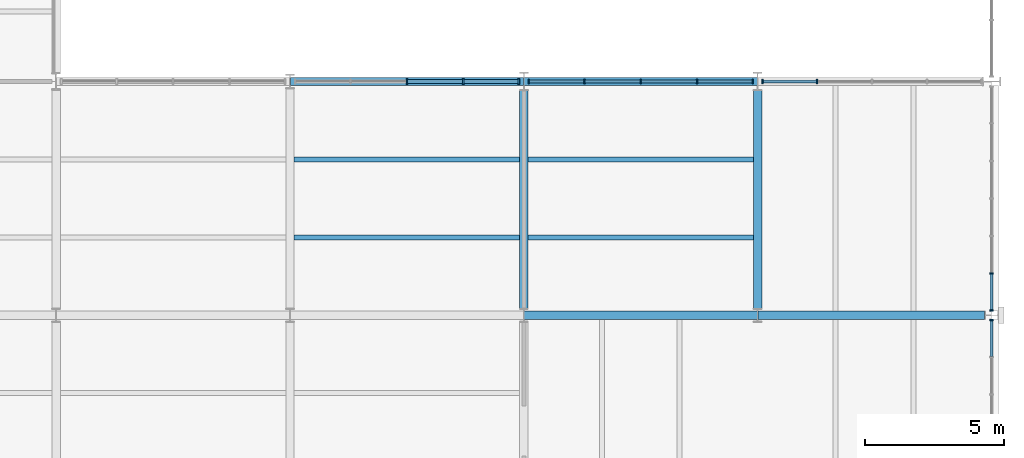
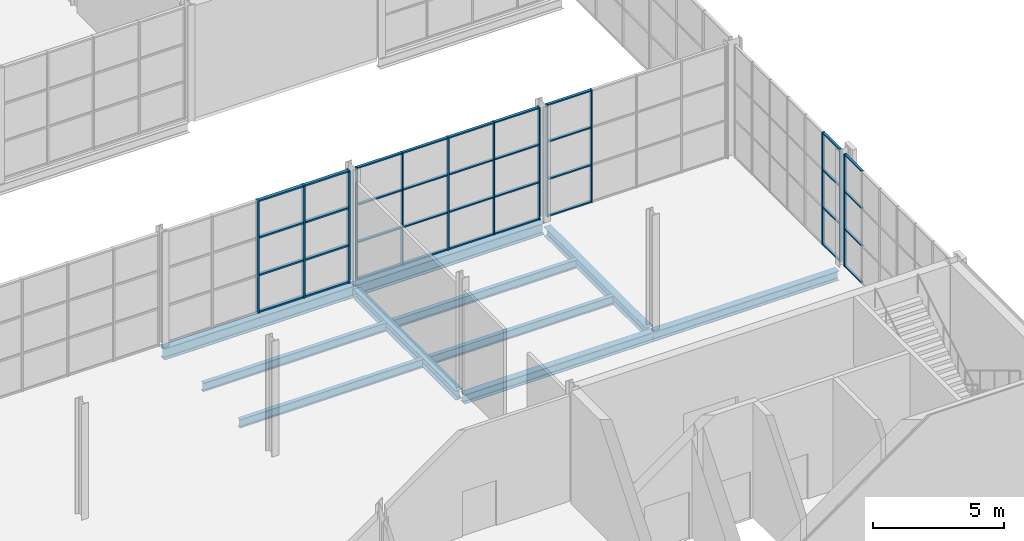
# One storey, part 24 of 64: 49 members, 10 beams, 5 elements without a shape of their own.
"""IFC4 building model written with IfcOpenShell, lengths in metres."""

from ifc_helpers import new_model, si_unit, direction, frame, origin, origin_2d, place, context, subcontext, project, spatial, rectangle, i_section, extrude, material, layer, layer_set, material_profile, profile_set, type_object, element, aggregate, save


model = new_model("IFC4")

# Units and contexts
model_context = context("Model", 3, precision=1e-05, world=origin(), true_north=direction((0.0, 1.0)))
body_context = subcontext(model_context, "Body", "Model", "MODEL_VIEW")
ifc_project = project(units=[si_unit("LENGTHUNIT", "METRE"), si_unit("AREAUNIT", "SQUARE_METRE"), si_unit("VOLUMEUNIT", "CUBIC_METRE"), si_unit("PLANEANGLEUNIT", "RADIAN"), si_unit("MASSUNIT", "GRAM", prefix="KILO")], contexts=[model_context])

# Site, building, storey
site_placement = place(None, origin())
site = spatial("IfcSite", under=ifc_project, at=site_placement, CompositionType="ELEMENT")
building_placement = place(site_placement, origin())
building = spatial("IfcBuilding", under=site, at=building_placement, Name="Galleria Vessillo Department Store", CompositionType="ELEMENT")
storey_placement = place(building_placement, frame((0.0, 0.0, 6.0)))
storey = spatial("IfcBuildingStorey", under=building, at=storey_placement, Name="L01", CompositionType="ELEMENT", Elevation=6.0)

# Curtain wall, member
ifc_material_1 = material(Name="Aluminium and glass curtain wall", Category="aluminium")
ifc_layer_1 = layer(ifc_material_1, 0.1201171875)
ifc_layer_set_1 = layer_set([ifc_layer_1], Name="Aluminium and glass curtain wall")
curtain_wall_type_1 = type_object("IfcCurtainWallType", Name="Shopfront curtain wall CW3 1400 module", PredefinedType="NOTDEFINED", material=ifc_layer_set_1)
curtain_wall_1_placement = place(storey_placement, origin())
curtain_wall_1 = element("IfcCurtainWall", 1, at=curtain_wall_1_placement, inside=storey, type_object=curtain_wall_type_1, Name="Shopfront curtain wall CW3 1400 module SE-S-L01-01", PredefinedType="NOTDEFINED")
ifc_material_2 = material(Name="Aluminium alloy 6063 T6", Category="aluminium")
ifc_material_profile_1 = material_profile(ifc_material_2, rectangle(XDim=0.1201171875, YDim=0.050048828125, at=origin_2d()), Name="AL 50x120")
ifc_profile_set_1 = profile_set([ifc_material_profile_1], Name="Aluminium alloy 6063 T6")
member_type_1 = type_object("IfcMemberType", Name="Aluminium mullion 50 x 120", PredefinedType="MULLION", material=ifc_profile_set_1)
member_1_placement = place(storey_placement, frame((117.60009765625, 16.625244140625, 0.0), z_axis=(0.0, 0.0, 1.0), x_axis=(-1.0, 0.0, 0.0)))
member_1 = element("IfcMember", 2, at=member_1_placement, type_object=member_type_1, Name="CW3 mullion 7", PredefinedType="MULLION", context=body_context, shape_type="SweptSolid", body=[
    extrude(rectangle(XDim=0.1201171875, YDim=0.050048828125, at=origin_2d()), origin(), (0.0, 0.0, 1.0), 5.25),
])

# Curtain wall, members
curtain_wall_2_placement = place(storey_placement, origin())
curtain_wall_2 = element("IfcCurtainWall", 3, at=curtain_wall_2_placement, inside=storey, type_object=curtain_wall_type_1, Name="Shopfront curtain wall CW3 1400 module SE-S-L01-02", PredefinedType="NOTDEFINED")
member_2_placement = place(storey_placement, frame((117.60009765625, 16.974853515625, 0.0), z_axis=(0.0, 0.0, 1.0), x_axis=(-1.0, 0.0, 0.0)))
member_2 = element("IfcMember", 4, at=member_2_placement, type_object=member_type_1, Name="CW3 mullion 1", PredefinedType="MULLION", context=body_context, shape_type="SweptSolid", body=[
    extrude(rectangle(XDim=0.1201171875, YDim=0.050048828125, at=origin_2d()), origin(), (0.0, 0.0, 1.0), 5.25),
])
member_3_placement = place(storey_placement, frame((117.60009765625, 18.299560546875, 0.0), z_axis=(0.0, 0.0, 1.0), x_axis=(-1.0, 0.0, 0.0)))
member_3 = element("IfcMember", 5, at=member_3_placement, type_object=member_type_1, Name="CW3 mullion 2", PredefinedType="MULLION", context=body_context, shape_type="SweptSolid", body=[
    extrude(rectangle(XDim=0.1201171875, YDim=0.050048828125, at=origin_2d()), origin(), (0.0, 0.0, 1.0), 5.25),
])

ifc_material_3 = material(Name="Aluminium and glass curtain wall", Category="aluminium")
ifc_layer_2 = layer(ifc_material_3, 0.159912109375)
ifc_layer_set_2 = layer_set([ifc_layer_2], Name="Aluminium and glass curtain wall")
curtain_wall_type_2 = type_object("IfcCurtainWallType", Name="Arcade portal glazing CW2 2100 module", PredefinedType="NOTDEFINED", material=ifc_layer_set_2)
curtain_wall_3_placement = place(storey_placement, origin())
curtain_wall_3 = element("IfcCurtainWall", 6, at=curtain_wall_3_placement, inside=storey, type_object=curtain_wall_type_2, Name="Arcade portal glazing CW2 2100 module PW-E-S-L01-01", PredefinedType="NOTDEFINED")
ifc_material_4 = material(Name="Aluminium alloy 6063 T6", Category="aluminium")
ifc_material_profile_2 = material_profile(ifc_material_4, rectangle(XDim=0.159912109375, YDim=0.050048828125, at=origin_2d()), Name="AL 50x160")
ifc_profile_set_2 = profile_set([ifc_material_profile_2], Name="Aluminium alloy 6063 T6")
member_type_2 = type_object("IfcMemberType", Name="Aluminium mullion 50 x 160", PredefinedType="MULLION", material=ifc_profile_set_2)
member_4_placement = place(storey_placement, frame((100.9775390625, 25.199951171875, 0.0), z_axis=(0.0, 0.0, 1.0), x_axis=(0.0, 1.0, 0.0)))
member_4 = element("IfcMember", 7, at=member_4_placement, type_object=member_type_2, Name="CW2 mullion 1", PredefinedType="MULLION", context=body_context, shape_type="SweptSolid", body=[
    extrude(rectangle(XDim=0.159912109375, YDim=0.050048828125, at=origin_2d()), origin(), (0.0, 0.0, 1.0), 5.25),
])
member_5_placement = place(storey_placement, frame((102.976318359375, 25.199951171875, 0.0), z_axis=(0.0, 0.0, 1.0), x_axis=(0.0, 1.0, 0.0)))
member_5 = element("IfcMember", 8, at=member_5_placement, type_object=member_type_2, Name="CW2 mullion 2", PredefinedType="MULLION", context=body_context, shape_type="SweptSolid", body=[
    extrude(rectangle(XDim=0.159912109375, YDim=0.050048828125, at=origin_2d()), origin(), (0.0, 0.0, 1.0), 5.25),
])
member_6_placement = place(storey_placement, frame((105.0, 25.199951171875, 0.0), z_axis=(0.0, 0.0, 1.0), x_axis=(0.0, 1.0, 0.0)))
member_6 = element("IfcMember", 9, at=member_6_placement, type_object=member_type_2, Name="CW2 mullion 3", PredefinedType="MULLION", context=body_context, shape_type="SweptSolid", body=[
    extrude(rectangle(XDim=0.159912109375, YDim=0.050048828125, at=origin_2d()), origin(), (0.0, 0.0, 1.0), 5.25),
])
member_7_placement = place(storey_placement, frame((107.023681640625, 25.199951171875, 0.0), z_axis=(0.0, 0.0, 1.0), x_axis=(0.0, 1.0, 0.0)))
member_7 = element("IfcMember", 10, at=member_7_placement, type_object=member_type_2, Name="CW2 mullion 4", PredefinedType="MULLION", context=body_context, shape_type="SweptSolid", body=[
    extrude(rectangle(XDim=0.159912109375, YDim=0.050048828125, at=origin_2d()), origin(), (0.0, 0.0, 1.0), 5.25),
])
member_8_placement = place(storey_placement, frame((109.0224609375, 25.199951171875, 0.0), z_axis=(0.0, 0.0, 1.0), x_axis=(0.0, 1.0, 0.0)))
member_8 = element("IfcMember", 11, at=member_8_placement, type_object=member_type_2, Name="CW2 mullion 5", PredefinedType="MULLION", context=body_context, shape_type="SweptSolid", body=[
    extrude(rectangle(XDim=0.159912109375, YDim=0.050048828125, at=origin_2d()), origin(), (0.0, 0.0, 1.0), 5.25),
])

curtain_wall_4_placement = place(storey_placement, origin())
curtain_wall_4 = element("IfcCurtainWall", 12, at=curtain_wall_4_placement, inside=storey, type_object=curtain_wall_type_2, Name="Arcade portal glazing CW2 2100 module PW-E-S-L01-02", PredefinedType="NOTDEFINED")
member_9_placement = place(storey_placement, frame((109.37744140625, 25.199951171875, 0.0), z_axis=(0.0, 0.0, 1.0), x_axis=(0.0, 1.0, 0.0)))
member_9 = element("IfcMember", 13, at=member_9_placement, type_object=member_type_2, Name="CW2 mullion 1", PredefinedType="MULLION", context=body_context, shape_type="SweptSolid", body=[
    extrude(rectangle(XDim=0.159912109375, YDim=0.050048828125, at=origin_2d()), origin(), (0.0, 0.0, 1.0), 5.25),
])
member_10_placement = place(storey_placement, frame((111.330810546875, 25.199951171875, 0.0), z_axis=(0.0, 0.0, 1.0), x_axis=(0.0, 1.0, 0.0)))
member_10 = element("IfcMember", 14, at=member_10_placement, type_object=member_type_2, Name="CW2 mullion 2", PredefinedType="MULLION", context=body_context, shape_type="SweptSolid", body=[
    extrude(rectangle(XDim=0.159912109375, YDim=0.050048828125, at=origin_2d()), origin(), (0.0, 0.0, 1.0), 5.25),
])

ifc_material_5 = material(Name="Aluminium and glass curtain wall", Category="aluminium")
ifc_layer_3 = layer(ifc_material_5, 0.199951171875)
ifc_layer_set_3 = layer_set([ifc_layer_3], Name="Aluminium and glass curtain wall")
curtain_wall_type_3 = type_object("IfcCurtainWallType", Name="Arcade curtain wall CW1 2100 module", PredefinedType="NOTDEFINED", material=ifc_layer_set_3)
curtain_wall_5_placement = place(storey_placement, origin())
curtain_wall_5 = element("IfcCurtainWall", 15, at=curtain_wall_5_placement, inside=storey, type_object=curtain_wall_type_3, Name="Arcade curtain wall CW1 2100 module AI-AE-S-L01-02", PredefinedType="NOTDEFINED")
ifc_material_6 = material(Name="Aluminium alloy 6063 T6", Category="aluminium")
ifc_material_profile_3 = material_profile(ifc_material_6, rectangle(XDim=0.199951171875, YDim=0.06005859375, at=origin_2d()), Name="AL 60x200")
ifc_profile_set_3 = profile_set([ifc_material_profile_3], Name="Aluminium alloy 6063 T6")
member_type_3 = type_object("IfcMemberType", Name="Aluminium mullion 60 x 200", PredefinedType="MULLION", material=ifc_profile_set_3)
member_11_placement = place(storey_placement, frame((96.600341796875, 25.199951171875, 0.0), z_axis=(0.0, 0.0, 1.0), x_axis=(0.0, 1.0, 0.0)))
member_11 = element("IfcMember", 16, at=member_11_placement, type_object=member_type_3, Name="CW1 mullion 3", PredefinedType="MULLION", context=body_context, shape_type="SweptSolid", body=[
    extrude(rectangle(XDim=0.199951171875, YDim=0.06005859375, at=origin_2d()), origin(), (0.0, 0.0, 1.0), 5.25),
])
member_12_placement = place(storey_placement, frame((98.623779296875, 25.199951171875, 0.0), z_axis=(0.0, 0.0, 1.0), x_axis=(0.0, 1.0, 0.0)))
member_12 = element("IfcMember", 17, at=member_12_placement, type_object=member_type_3, Name="CW1 mullion 4", PredefinedType="MULLION", context=body_context, shape_type="SweptSolid", body=[
    extrude(rectangle(XDim=0.199951171875, YDim=0.06005859375, at=origin_2d()), origin(), (0.0, 0.0, 1.0), 5.25),
])
member_13_placement = place(storey_placement, frame((100.617431640625, 25.199951171875, 0.0), z_axis=(0.0, 0.0, 1.0), x_axis=(0.0, 1.0, 0.0)))
member_13 = element("IfcMember", 18, at=member_13_placement, type_object=member_type_3, Name="CW1 mullion 5", PredefinedType="MULLION", context=body_context, shape_type="SweptSolid", body=[
    extrude(rectangle(XDim=0.199951171875, YDim=0.06005859375, at=origin_2d()), origin(), (0.0, 0.0, 1.0), 5.25),
])

# Member
ifc_material_7 = material(Name="Aluminium alloy 6063 T6", Category="aluminium")
ifc_material_profile_4 = material_profile(ifc_material_7, rectangle(XDim=0.10009765625, YDim=0.050048828125, at=origin_2d()), Name="AL 50x100")
ifc_profile_set_4 = profile_set([ifc_material_profile_4], Name="Aluminium alloy 6063 T6")
member_type_4 = type_object("IfcMemberType", Name="Aluminium transom 50 x 100", PredefinedType="USERDEFINED", material=ifc_profile_set_4)
member_14_placement = place(storey_placement, frame((117.60009765625, 15.3251953125, 0.02490234375), z_axis=(0.0, 1.0, 0.0), x_axis=(-1.0, 0.0, 0.0)))
member_14 = element("IfcMember", 19, at=member_14_placement, type_object=member_type_4, Name="CW3 transom 6.1", ObjectType="TRANSOM", PredefinedType="USERDEFINED", context=body_context, shape_type="SweptSolid", body=[
    extrude(rectangle(XDim=0.10009765625, YDim=0.050048828125, at=origin_2d()), origin(), (0.0, 0.0, 1.0), 1.27490234375),
])

member_15_placement = place(storey_placement, frame((117.60009765625, 15.3251953125, 1.75), z_axis=(0.0, 1.0, 0.0), x_axis=(-1.0, 0.0, 0.0)))
member_15 = element("IfcMember", 20, at=member_15_placement, type_object=member_type_4, Name="CW3 transom 6.2", ObjectType="TRANSOM", PredefinedType="USERDEFINED", context=body_context, shape_type="SweptSolid", body=[
    extrude(rectangle(XDim=0.10009765625, YDim=0.050048828125, at=origin_2d()), origin(), (0.0, 0.0, 1.0), 1.27490234375),
])

member_16_placement = place(storey_placement, frame((117.60009765625, 15.3251953125, 3.5), z_axis=(0.0, 1.0, 0.0), x_axis=(-1.0, 0.0, 0.0)))
member_16 = element("IfcMember", 21, at=member_16_placement, type_object=member_type_4, Name="CW3 transom 6.3", ObjectType="TRANSOM", PredefinedType="USERDEFINED", context=body_context, shape_type="SweptSolid", body=[
    extrude(rectangle(XDim=0.10009765625, YDim=0.050048828125, at=origin_2d()), origin(), (0.0, 0.0, 1.0), 1.27490234375),
])

member_17_placement = place(storey_placement, frame((117.60009765625, 15.3251953125, 5.22509765625), z_axis=(0.0, 1.0, 0.0), x_axis=(-1.0, 0.0, 0.0)))
member_17 = element("IfcMember", 22, at=member_17_placement, type_object=member_type_4, Name="CW3 transom 6.4", ObjectType="TRANSOM", PredefinedType="USERDEFINED", context=body_context, shape_type="SweptSolid", body=[
    extrude(rectangle(XDim=0.10009765625, YDim=0.050048828125, at=origin_2d()), origin(), (0.0, 0.0, 1.0), 1.27490234375),
])

aggregate(curtain_wall_1, [member_1, member_14, member_15, member_16, member_17])

member_18_placement = place(storey_placement, frame((117.60009765625, 17.0, 0.02490234375), z_axis=(0.0, 1.0, 0.0), x_axis=(-1.0, 0.0, 0.0)))
member_18 = element("IfcMember", 23, at=member_18_placement, type_object=member_type_4, Name="CW3 transom 1.1", ObjectType="TRANSOM", PredefinedType="USERDEFINED", context=body_context, shape_type="SweptSolid", body=[
    extrude(rectangle(XDim=0.10009765625, YDim=0.050048828125, at=origin_2d()), origin(), (0.0, 0.0, 1.0), 1.2744140625),
])

member_19_placement = place(storey_placement, frame((117.60009765625, 17.0, 1.75), z_axis=(0.0, 1.0, 0.0), x_axis=(-1.0, 0.0, 0.0)))
member_19 = element("IfcMember", 24, at=member_19_placement, type_object=member_type_4, Name="CW3 transom 1.2", ObjectType="TRANSOM", PredefinedType="USERDEFINED", context=body_context, shape_type="SweptSolid", body=[
    extrude(rectangle(XDim=0.10009765625, YDim=0.050048828125, at=origin_2d()), origin(), (0.0, 0.0, 1.0), 1.2744140625),
])

member_20_placement = place(storey_placement, frame((117.60009765625, 17.0, 3.5), z_axis=(0.0, 1.0, 0.0), x_axis=(-1.0, 0.0, 0.0)))
member_20 = element("IfcMember", 25, at=member_20_placement, type_object=member_type_4, Name="CW3 transom 1.3", ObjectType="TRANSOM", PredefinedType="USERDEFINED", context=body_context, shape_type="SweptSolid", body=[
    extrude(rectangle(XDim=0.10009765625, YDim=0.050048828125, at=origin_2d()), origin(), (0.0, 0.0, 1.0), 1.2744140625),
])

member_21_placement = place(storey_placement, frame((117.60009765625, 17.0, 5.22509765625), z_axis=(0.0, 1.0, 0.0), x_axis=(-1.0, 0.0, 0.0)))
member_21 = element("IfcMember", 26, at=member_21_placement, type_object=member_type_4, Name="CW3 transom 1.4", ObjectType="TRANSOM", PredefinedType="USERDEFINED", context=body_context, shape_type="SweptSolid", body=[
    extrude(rectangle(XDim=0.10009765625, YDim=0.050048828125, at=origin_2d()), origin(), (0.0, 0.0, 1.0), 1.2744140625),
])

aggregate(curtain_wall_2, [member_2, member_3, member_18, member_19, member_20, member_21])

ifc_material_8 = material(Name="Aluminium alloy 6063 T6", Category="aluminium")
ifc_material_profile_5 = material_profile(ifc_material_8, rectangle(XDim=0.1201171875, YDim=0.06005859375, at=origin_2d()), Name="AL 60x120")
ifc_profile_set_5 = profile_set([ifc_material_profile_5], Name="Aluminium alloy 6063 T6")
member_type_5 = type_object("IfcMemberType", Name="Aluminium transom 60 x 120", PredefinedType="USERDEFINED", material=ifc_profile_set_5)
member_22_placement = place(storey_placement, frame((101.002685546875, 25.199951171875, 0.030029296875), z_axis=(1.0, 0.0, 0.0), x_axis=(0.0, 1.0, 0.0)))
member_22 = element("IfcMember", 27, at=member_22_placement, type_object=member_type_5, Name="CW2 transom 1.1", ObjectType="TRANSOM", PredefinedType="USERDEFINED", context=body_context, shape_type="SweptSolid", body=[
    extrude(rectangle(XDim=0.1201171875, YDim=0.06005859375, at=origin_2d()), origin(), (0.0, 0.0, 1.0), 1.94873046875),
])

member_23_placement = place(storey_placement, frame((101.002685546875, 25.199951171875, 1.75), z_axis=(1.0, 0.0, 0.0), x_axis=(0.0, 1.0, 0.0)))
member_23 = element("IfcMember", 28, at=member_23_placement, type_object=member_type_5, Name="CW2 transom 1.2", ObjectType="TRANSOM", PredefinedType="USERDEFINED", context=body_context, shape_type="SweptSolid", body=[
    extrude(rectangle(XDim=0.1201171875, YDim=0.06005859375, at=origin_2d()), origin(), (0.0, 0.0, 1.0), 1.94873046875),
])

member_24_placement = place(storey_placement, frame((101.002685546875, 25.199951171875, 3.5), z_axis=(1.0, 0.0, 0.0), x_axis=(0.0, 1.0, 0.0)))
member_24 = element("IfcMember", 29, at=member_24_placement, type_object=member_type_5, Name="CW2 transom 1.3", ObjectType="TRANSOM", PredefinedType="USERDEFINED", context=body_context, shape_type="SweptSolid", body=[
    extrude(rectangle(XDim=0.1201171875, YDim=0.06005859375, at=origin_2d()), origin(), (0.0, 0.0, 1.0), 1.94873046875),
])

member_25_placement = place(storey_placement, frame((101.002685546875, 25.199951171875, 5.219970703125), z_axis=(1.0, 0.0, 0.0), x_axis=(0.0, 1.0, 0.0)))
member_25 = element("IfcMember", 30, at=member_25_placement, type_object=member_type_5, Name="CW2 transom 1.4", ObjectType="TRANSOM", PredefinedType="USERDEFINED", context=body_context, shape_type="SweptSolid", body=[
    extrude(rectangle(XDim=0.1201171875, YDim=0.06005859375, at=origin_2d()), origin(), (0.0, 0.0, 1.0), 1.94873046875),
])

member_26_placement = place(storey_placement, frame((103.001220703125, 25.199951171875, 0.030029296875), z_axis=(1.0, 0.0, 0.0), x_axis=(0.0, 1.0, 0.0)))
member_26 = element("IfcMember", 31, at=member_26_placement, type_object=member_type_5, Name="CW2 transom 2.1", ObjectType="TRANSOM", PredefinedType="USERDEFINED", context=body_context, shape_type="SweptSolid", body=[
    extrude(rectangle(XDim=0.1201171875, YDim=0.06005859375, at=origin_2d()), origin(), (0.0, 0.0, 1.0), 1.973876953125),
])

member_27_placement = place(storey_placement, frame((103.001220703125, 25.199951171875, 1.75), z_axis=(1.0, 0.0, 0.0), x_axis=(0.0, 1.0, 0.0)))
member_27 = element("IfcMember", 32, at=member_27_placement, type_object=member_type_5, Name="CW2 transom 2.2", ObjectType="TRANSOM", PredefinedType="USERDEFINED", context=body_context, shape_type="SweptSolid", body=[
    extrude(rectangle(XDim=0.1201171875, YDim=0.06005859375, at=origin_2d()), origin(), (0.0, 0.0, 1.0), 1.973876953125),
])

member_28_placement = place(storey_placement, frame((103.001220703125, 25.199951171875, 3.5), z_axis=(1.0, 0.0, 0.0), x_axis=(0.0, 1.0, 0.0)))
member_28 = element("IfcMember", 33, at=member_28_placement, type_object=member_type_5, Name="CW2 transom 2.3", ObjectType="TRANSOM", PredefinedType="USERDEFINED", context=body_context, shape_type="SweptSolid", body=[
    extrude(rectangle(XDim=0.1201171875, YDim=0.06005859375, at=origin_2d()), origin(), (0.0, 0.0, 1.0), 1.973876953125),
])

member_29_placement = place(storey_placement, frame((103.001220703125, 25.199951171875, 5.219970703125), z_axis=(1.0, 0.0, 0.0), x_axis=(0.0, 1.0, 0.0)))
member_29 = element("IfcMember", 34, at=member_29_placement, type_object=member_type_5, Name="CW2 transom 2.4", ObjectType="TRANSOM", PredefinedType="USERDEFINED", context=body_context, shape_type="SweptSolid", body=[
    extrude(rectangle(XDim=0.1201171875, YDim=0.06005859375, at=origin_2d()), origin(), (0.0, 0.0, 1.0), 1.973876953125),
])

member_30_placement = place(storey_placement, frame((105.02490234375, 25.199951171875, 0.030029296875), z_axis=(1.0, 0.0, 0.0), x_axis=(0.0, 1.0, 0.0)))
member_30 = element("IfcMember", 35, at=member_30_placement, type_object=member_type_5, Name="CW2 transom 3.1", ObjectType="TRANSOM", PredefinedType="USERDEFINED", context=body_context, shape_type="SweptSolid", body=[
    extrude(rectangle(XDim=0.1201171875, YDim=0.06005859375, at=origin_2d()), origin(), (0.0, 0.0, 1.0), 1.973876953125),
])

member_31_placement = place(storey_placement, frame((105.02490234375, 25.199951171875, 1.75), z_axis=(1.0, 0.0, 0.0), x_axis=(0.0, 1.0, 0.0)))
member_31 = element("IfcMember", 36, at=member_31_placement, type_object=member_type_5, Name="CW2 transom 3.2", ObjectType="TRANSOM", PredefinedType="USERDEFINED", context=body_context, shape_type="SweptSolid", body=[
    extrude(rectangle(XDim=0.1201171875, YDim=0.06005859375, at=origin_2d()), origin(), (0.0, 0.0, 1.0), 1.973876953125),
])

member_32_placement = place(storey_placement, frame((105.02490234375, 25.199951171875, 3.5), z_axis=(1.0, 0.0, 0.0), x_axis=(0.0, 1.0, 0.0)))
member_32 = element("IfcMember", 37, at=member_32_placement, type_object=member_type_5, Name="CW2 transom 3.3", ObjectType="TRANSOM", PredefinedType="USERDEFINED", context=body_context, shape_type="SweptSolid", body=[
    extrude(rectangle(XDim=0.1201171875, YDim=0.06005859375, at=origin_2d()), origin(), (0.0, 0.0, 1.0), 1.973876953125),
])

member_33_placement = place(storey_placement, frame((105.02490234375, 25.199951171875, 5.219970703125), z_axis=(1.0, 0.0, 0.0), x_axis=(0.0, 1.0, 0.0)))
member_33 = element("IfcMember", 38, at=member_33_placement, type_object=member_type_5, Name="CW2 transom 3.4", ObjectType="TRANSOM", PredefinedType="USERDEFINED", context=body_context, shape_type="SweptSolid", body=[
    extrude(rectangle(XDim=0.1201171875, YDim=0.06005859375, at=origin_2d()), origin(), (0.0, 0.0, 1.0), 1.973876953125),
])

member_34_placement = place(storey_placement, frame((107.048583984375, 25.199951171875, 0.030029296875), z_axis=(1.0, 0.0, 0.0), x_axis=(0.0, 1.0, 0.0)))
member_34 = element("IfcMember", 39, at=member_34_placement, type_object=member_type_5, Name="CW2 transom 4.1", ObjectType="TRANSOM", PredefinedType="USERDEFINED", context=body_context, shape_type="SweptSolid", body=[
    extrude(rectangle(XDim=0.1201171875, YDim=0.06005859375, at=origin_2d()), origin(), (0.0, 0.0, 1.0), 1.94873046875),
])

member_35_placement = place(storey_placement, frame((107.048583984375, 25.199951171875, 1.75), z_axis=(1.0, 0.0, 0.0), x_axis=(0.0, 1.0, 0.0)))
member_35 = element("IfcMember", 40, at=member_35_placement, type_object=member_type_5, Name="CW2 transom 4.2", ObjectType="TRANSOM", PredefinedType="USERDEFINED", context=body_context, shape_type="SweptSolid", body=[
    extrude(rectangle(XDim=0.1201171875, YDim=0.06005859375, at=origin_2d()), origin(), (0.0, 0.0, 1.0), 1.94873046875),
])

member_36_placement = place(storey_placement, frame((107.048583984375, 25.199951171875, 3.5), z_axis=(1.0, 0.0, 0.0), x_axis=(0.0, 1.0, 0.0)))
member_36 = element("IfcMember", 41, at=member_36_placement, type_object=member_type_5, Name="CW2 transom 4.3", ObjectType="TRANSOM", PredefinedType="USERDEFINED", context=body_context, shape_type="SweptSolid", body=[
    extrude(rectangle(XDim=0.1201171875, YDim=0.06005859375, at=origin_2d()), origin(), (0.0, 0.0, 1.0), 1.94873046875),
])

member_37_placement = place(storey_placement, frame((107.048583984375, 25.199951171875, 5.219970703125), z_axis=(1.0, 0.0, 0.0), x_axis=(0.0, 1.0, 0.0)))
member_37 = element("IfcMember", 42, at=member_37_placement, type_object=member_type_5, Name="CW2 transom 4.4", ObjectType="TRANSOM", PredefinedType="USERDEFINED", context=body_context, shape_type="SweptSolid", body=[
    extrude(rectangle(XDim=0.1201171875, YDim=0.06005859375, at=origin_2d()), origin(), (0.0, 0.0, 1.0), 1.94873046875),
])

aggregate(curtain_wall_3, [member_4, member_5, member_6, member_7, member_8, member_22, member_23, member_24, member_25, member_26, member_27, member_28, member_29, member_30, member_31, member_32, member_33, member_34, member_35, member_36, member_37])

member_38_placement = place(storey_placement, frame((109.402587890625, 25.199951171875, 0.030029296875), z_axis=(1.0, 0.0, 0.0), x_axis=(0.0, 1.0, 0.0)))
member_38 = element("IfcMember", 43, at=member_38_placement, type_object=member_type_5, Name="CW2 transom 1.1", ObjectType="TRANSOM", PredefinedType="USERDEFINED", context=body_context, shape_type="SweptSolid", body=[
    extrude(rectangle(XDim=0.1201171875, YDim=0.06005859375, at=origin_2d()), origin(), (0.0, 0.0, 1.0), 1.9033203125),
])

member_39_placement = place(storey_placement, frame((109.402587890625, 25.199951171875, 1.75), z_axis=(1.0, 0.0, 0.0), x_axis=(0.0, 1.0, 0.0)))
member_39 = element("IfcMember", 44, at=member_39_placement, type_object=member_type_5, Name="CW2 transom 1.2", ObjectType="TRANSOM", PredefinedType="USERDEFINED", context=body_context, shape_type="SweptSolid", body=[
    extrude(rectangle(XDim=0.1201171875, YDim=0.06005859375, at=origin_2d()), origin(), (0.0, 0.0, 1.0), 1.9033203125),
])

member_40_placement = place(storey_placement, frame((109.402587890625, 25.199951171875, 3.5), z_axis=(1.0, 0.0, 0.0), x_axis=(0.0, 1.0, 0.0)))
member_40 = element("IfcMember", 45, at=member_40_placement, type_object=member_type_5, Name="CW2 transom 1.3", ObjectType="TRANSOM", PredefinedType="USERDEFINED", context=body_context, shape_type="SweptSolid", body=[
    extrude(rectangle(XDim=0.1201171875, YDim=0.06005859375, at=origin_2d()), origin(), (0.0, 0.0, 1.0), 1.9033203125),
])

member_41_placement = place(storey_placement, frame((109.402587890625, 25.199951171875, 5.219970703125), z_axis=(1.0, 0.0, 0.0), x_axis=(0.0, 1.0, 0.0)))
member_41 = element("IfcMember", 46, at=member_41_placement, type_object=member_type_5, Name="CW2 transom 1.4", ObjectType="TRANSOM", PredefinedType="USERDEFINED", context=body_context, shape_type="SweptSolid", body=[
    extrude(rectangle(XDim=0.1201171875, YDim=0.06005859375, at=origin_2d()), origin(), (0.0, 0.0, 1.0), 1.9033203125),
])

aggregate(curtain_wall_4, [member_9, member_10, member_38, member_39, member_40, member_41])

ifc_material_9 = material(Name="Aluminium alloy 6063 T6", Category="aluminium")
ifc_material_profile_6 = material_profile(ifc_material_9, rectangle(XDim=0.139892578125, YDim=0.070068359375, at=origin_2d()), Name="AL 70x140")
ifc_profile_set_6 = profile_set([ifc_material_profile_6], Name="Aluminium alloy 6063 T6")
member_type_6 = type_object("IfcMemberType", Name="Aluminium transom 70 x 140", PredefinedType="USERDEFINED", material=ifc_profile_set_6)
member_42_placement = place(storey_placement, frame((96.630126953125, 25.199951171875, 0.034912109375), z_axis=(1.0, 0.0, 0.0), x_axis=(0.0, 1.0, 0.0)))
member_42 = element("IfcMember", 47, at=member_42_placement, type_object=member_type_6, Name="CW1 transom 3.1", ObjectType="TRANSOM", PredefinedType="USERDEFINED", context=body_context, shape_type="SweptSolid", body=[
    extrude(rectangle(XDim=0.139892578125, YDim=0.070068359375, at=origin_2d()), origin(), (0.0, 0.0, 1.0), 1.963623046875),
])

member_43_placement = place(storey_placement, frame((96.630126953125, 25.199951171875, 1.75), z_axis=(1.0, 0.0, 0.0), x_axis=(0.0, 1.0, 0.0)))
member_43 = element("IfcMember", 48, at=member_43_placement, type_object=member_type_6, Name="CW1 transom 3.2", ObjectType="TRANSOM", PredefinedType="USERDEFINED", context=body_context, shape_type="SweptSolid", body=[
    extrude(rectangle(XDim=0.139892578125, YDim=0.070068359375, at=origin_2d()), origin(), (0.0, 0.0, 1.0), 1.963623046875),
])

member_44_placement = place(storey_placement, frame((96.630126953125, 25.199951171875, 3.5), z_axis=(1.0, 0.0, 0.0), x_axis=(0.0, 1.0, 0.0)))
member_44 = element("IfcMember", 49, at=member_44_placement, type_object=member_type_6, Name="CW1 transom 3.3", ObjectType="TRANSOM", PredefinedType="USERDEFINED", context=body_context, shape_type="SweptSolid", body=[
    extrude(rectangle(XDim=0.139892578125, YDim=0.070068359375, at=origin_2d()), origin(), (0.0, 0.0, 1.0), 1.963623046875),
])

member_45_placement = place(storey_placement, frame((96.630126953125, 25.199951171875, 5.215087890625), z_axis=(1.0, 0.0, 0.0), x_axis=(0.0, 1.0, 0.0)))
member_45 = element("IfcMember", 50, at=member_45_placement, type_object=member_type_6, Name="CW1 transom 3.4", ObjectType="TRANSOM", PredefinedType="USERDEFINED", context=body_context, shape_type="SweptSolid", body=[
    extrude(rectangle(XDim=0.139892578125, YDim=0.070068359375, at=origin_2d()), origin(), (0.0, 0.0, 1.0), 1.963623046875),
])

member_46_placement = place(storey_placement, frame((98.65380859375, 25.199951171875, 0.034912109375), z_axis=(1.0, 0.0, 0.0), x_axis=(0.0, 1.0, 0.0)))
member_46 = element("IfcMember", 51, at=member_46_placement, type_object=member_type_6, Name="CW1 transom 4.1", ObjectType="TRANSOM", PredefinedType="USERDEFINED", context=body_context, shape_type="SweptSolid", body=[
    extrude(rectangle(XDim=0.139892578125, YDim=0.070068359375, at=origin_2d()), origin(), (0.0, 0.0, 1.0), 1.93359375),
])

member_47_placement = place(storey_placement, frame((98.65380859375, 25.199951171875, 1.75), z_axis=(1.0, 0.0, 0.0), x_axis=(0.0, 1.0, 0.0)))
member_47 = element("IfcMember", 52, at=member_47_placement, type_object=member_type_6, Name="CW1 transom 4.2", ObjectType="TRANSOM", PredefinedType="USERDEFINED", context=body_context, shape_type="SweptSolid", body=[
    extrude(rectangle(XDim=0.139892578125, YDim=0.070068359375, at=origin_2d()), origin(), (0.0, 0.0, 1.0), 1.93359375),
])

member_48_placement = place(storey_placement, frame((98.65380859375, 25.199951171875, 3.5), z_axis=(1.0, 0.0, 0.0), x_axis=(0.0, 1.0, 0.0)))
member_48 = element("IfcMember", 53, at=member_48_placement, type_object=member_type_6, Name="CW1 transom 4.3", ObjectType="TRANSOM", PredefinedType="USERDEFINED", context=body_context, shape_type="SweptSolid", body=[
    extrude(rectangle(XDim=0.139892578125, YDim=0.070068359375, at=origin_2d()), origin(), (0.0, 0.0, 1.0), 1.93359375),
])

member_49_placement = place(storey_placement, frame((98.65380859375, 25.199951171875, 5.215087890625), z_axis=(1.0, 0.0, 0.0), x_axis=(0.0, 1.0, 0.0)))
member_49 = element("IfcMember", 54, at=member_49_placement, type_object=member_type_6, Name="CW1 transom 4.4", ObjectType="TRANSOM", PredefinedType="USERDEFINED", context=body_context, shape_type="SweptSolid", body=[
    extrude(rectangle(XDim=0.139892578125, YDim=0.070068359375, at=origin_2d()), origin(), (0.0, 0.0, 1.0), 1.93359375),
])

aggregate(curtain_wall_5, [member_11, member_12, member_13, member_42, member_43, member_44, member_45, member_46, member_47, member_48, member_49])

# Beams
ifc_material_10 = material(Name="Steel S355 J2", Category="steel")
ifc_material_profile_7 = material_profile(ifc_material_10, i_section(OverallWidth=0.300048828125, OverallDepth=0.43994140625, WebThickness=0.011474609375, FlangeThickness=0.02099609375, FilletRadius=0.027099609375, at=origin_2d()), Name="HEA 450")
ifc_profile_set_7 = profile_set([ifc_material_profile_7], Name="Steel S355 J2")
beam_type_1 = type_object("IfcBeamType", Name="Floor girder HEA 450", PredefinedType="BEAM", material=ifc_profile_set_7)
beam_1_placement = place(storey_placement, frame((100.807373046875, 16.800048828125, -0.369873046875), z_axis=(1.0, 0.0, 0.0), x_axis=(0.0, 1.0, 0.0)))
element("IfcBeam", 55, at=beam_1_placement, inside=storey, type_object=beam_type_1, Name="S-BM-L01-GI-x16800-100807", PredefinedType="BEAM", context=body_context, shape_type="SweptSolid", body=[
    extrude(i_section(OverallWidth=0.300048828125, OverallDepth=0.43994140625, WebThickness=0.011474609375, FlangeThickness=0.02099609375, FilletRadius=0.027099609375, at=origin_2d()), origin(), (0.0, 0.0, 1.0), 8.38525390625),
])
beam_2_placement = place(storey_placement, frame((109.207275390625, 16.800048828125, -0.369873046875), z_axis=(1.0, 0.0, 0.0), x_axis=(0.0, 1.0, 0.0)))
element("IfcBeam", 56, at=beam_2_placement, inside=storey, type_object=beam_type_1, Name="S-BM-L01-GI-x16800-109207", PredefinedType="BEAM", context=body_context, shape_type="SweptSolid", body=[
    extrude(i_section(OverallWidth=0.300048828125, OverallDepth=0.43994140625, WebThickness=0.011474609375, FlangeThickness=0.02099609375, FilletRadius=0.027099609375, at=origin_2d()), origin(), (0.0, 0.0, 1.0), 8.142578125),
])
for number, where, z_axis, x_axis, name in (
    (57, (100.800048828125, 17.050048828125, -0.369873046875), (0.0, 1.0, 0.0), (-1.0, 0.0, 0.0), "S-BM-L01-GI-y100800-17050"),
    (58, (109.199951171875, 17.050048828125, -0.369873046875), (0.0, 1.0, 0.0), (-1.0, 0.0, 0.0), "S-BM-L01-GI-y109200-17050"),
):
    element("IfcBeam", number, at=place(storey_placement, frame(where, z_axis=z_axis, x_axis=x_axis)), inside=storey, type_object=beam_type_1, Name=name, PredefinedType="BEAM", context=body_context, shape_type="SweptSolid", body=[
        extrude(i_section(OverallWidth=0.300048828125, OverallDepth=0.43994140625, WebThickness=0.011474609375, FlangeThickness=0.02099609375, FilletRadius=0.027099609375, at=origin_2d()), origin(), (0.0, 0.0, 1.0), 7.81591796875),
    ])
ifc_material_11 = material(Name="Steel S355 J2", Category="steel")
ifc_material_profile_8 = material_profile(ifc_material_11, i_section(OverallWidth=0.179931640625, OverallDepth=0.39990234375, WebThickness=0.008544921875, FlangeThickness=0.013427734375, FilletRadius=0.02099609375, at=origin_2d()), Name="IPE 400")
ifc_profile_set_8 = profile_set([ifc_material_profile_8], Name="Steel S355 J2")
beam_type_2 = type_object("IfcBeamType", Name="Floor joist IPE 400", PredefinedType="JOIST", material=ifc_profile_set_8)
for number, where, z_axis, x_axis, name in (
    (59, (92.550048828125, 19.60009765625, -0.349853515625), (1.0, 0.0, 0.0), (0.0, 1.0, 0.0), "S-BM-L01-JO-x19600-92550"),
    (60, (92.550048828125, 22.39990234375, -0.349853515625), (1.0, 0.0, 0.0), (0.0, 1.0, 0.0), "S-BM-L01-JO-x22400-92550"),
):
    element("IfcBeam", number, at=place(storey_placement, frame(where, z_axis=z_axis, x_axis=x_axis)), inside=storey, type_object=beam_type_2, Name=name, PredefinedType="JOIST", context=body_context, shape_type="SweptSolid", body=[
        extrude(i_section(OverallWidth=0.179931640625, OverallDepth=0.39990234375, WebThickness=0.008544921875, FlangeThickness=0.013427734375, FilletRadius=0.02099609375, at=origin_2d()), origin(), (0.0, 0.0, 1.0), 8.099853515625),
    ])
for number, where, z_axis, x_axis, name in (
    (61, (100.9501953125, 19.60009765625, -0.349853515625), (1.0, 0.0, 0.0), (0.0, 1.0, 0.0), "S-BM-L01-JO-x19600-100950"),
    (62, (100.9501953125, 22.39990234375, -0.349853515625), (1.0, 0.0, 0.0), (0.0, 1.0, 0.0), "S-BM-L01-JO-x22400-100950"),
):
    element("IfcBeam", number, at=place(storey_placement, frame(where, z_axis=z_axis, x_axis=x_axis)), inside=storey, type_object=beam_type_2, Name=name, PredefinedType="JOIST", context=body_context, shape_type="SweptSolid", body=[
        extrude(i_section(OverallWidth=0.179931640625, OverallDepth=0.39990234375, WebThickness=0.008544921875, FlangeThickness=0.013427734375, FilletRadius=0.02099609375, at=origin_2d()), origin(), (0.0, 0.0, 1.0), 8.099609375),
    ])
ifc_material_12 = material(Name="Steel S355 J2", Category="steel")
ifc_material_profile_9 = material_profile(ifc_material_12, i_section(OverallWidth=0.300048828125, OverallDepth=0.5400390625, WebThickness=0.012451171875, FlangeThickness=0.02392578125, FilletRadius=0.027099609375, at=origin_2d()), Name="HEA 550")
ifc_profile_set_9 = profile_set([ifc_material_profile_9], Name="Steel S355 J2")
beam_type_3 = type_object("IfcBeamType", Name="Trimmer beam HEA 550", PredefinedType="BEAM", material=ifc_profile_set_9)
beam_3_placement = place(storey_placement, frame((92.41064453125, 25.199951171875, -0.419921875), z_axis=(1.0, 0.0, 0.0), x_axis=(0.0, 1.0, 0.0)))
element("IfcBeam", 63, at=beam_3_placement, inside=storey, type_object=beam_type_3, Name="S-BM-L01-TR-x25200-92411", PredefinedType="BEAM", context=body_context, shape_type="SweptSolid", body=[
    extrude(i_section(OverallWidth=0.300048828125, OverallDepth=0.5400390625, WebThickness=0.012451171875, FlangeThickness=0.02392578125, FilletRadius=0.027099609375, at=origin_2d()), origin(), (0.0, 0.0, 1.0), 8.378662109375),
])
beam_4_placement = place(storey_placement, frame((100.810546875, 25.199951171875, -0.419921875), z_axis=(1.0, 0.0, 0.0), x_axis=(0.0, 1.0, 0.0)))
element("IfcBeam", 64, at=beam_4_placement, inside=storey, type_object=beam_type_3, Name="S-BM-L01-TR-x25200-100811", PredefinedType="BEAM", context=body_context, shape_type="SweptSolid", body=[
    extrude(i_section(OverallWidth=0.300048828125, OverallDepth=0.5400390625, WebThickness=0.012451171875, FlangeThickness=0.02392578125, FilletRadius=0.027099609375, at=origin_2d()), origin(), (0.0, 0.0, 1.0), 8.37890625),
])

save(model, "model.ifc")
